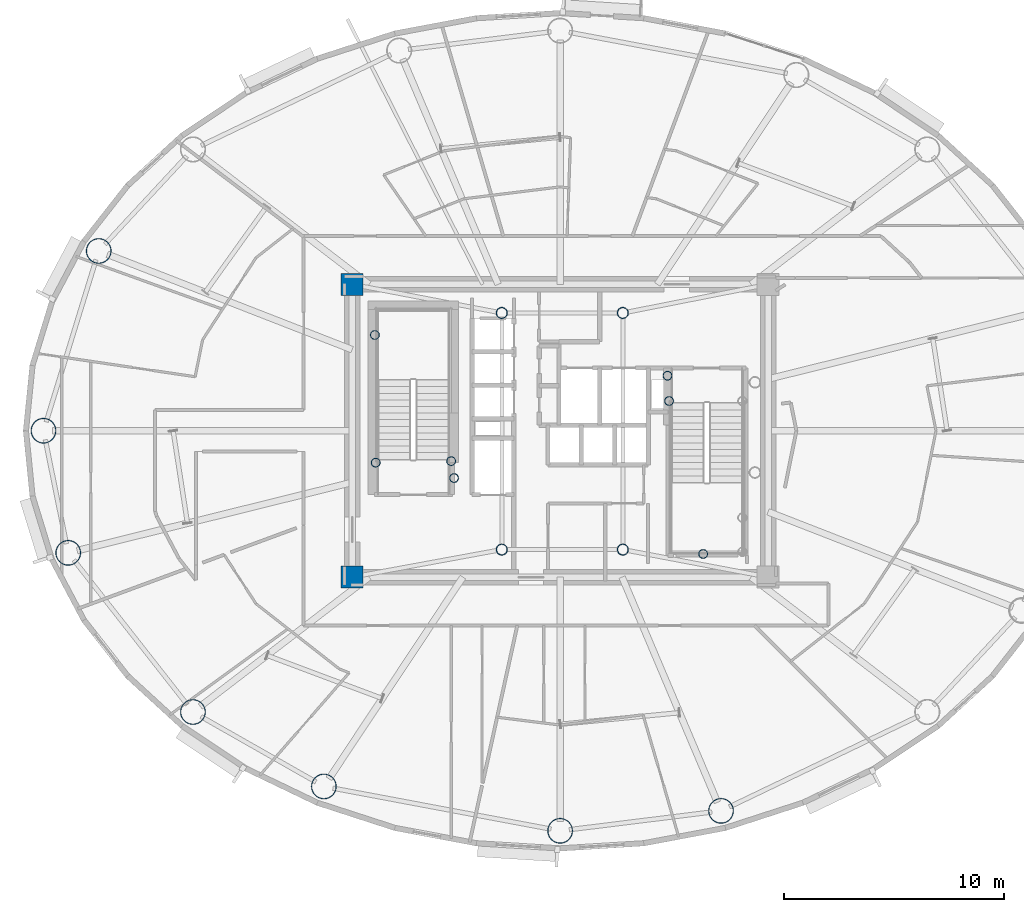
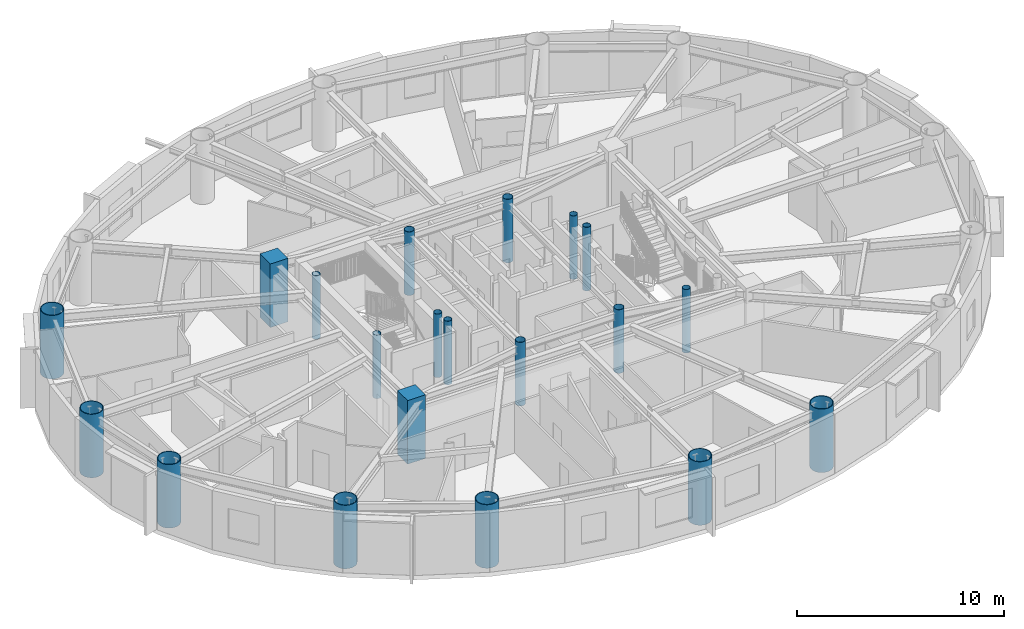
# One storey, part 1 of 22: 20 columns.
"""IFC4 building model written with IfcOpenShell, lengths in metres."""

from ifc_helpers import new_model, si_unit, direction, frame, origin, origin_2d, place, context, subcontext, project, spatial, rectangle, hollow_circle, extrude, material, material_profile, profile_set, type_object, element, save


model = new_model("IFC4")

# Units and contexts
model_context = context("Model", 3, precision=1e-05, world=origin(), true_north=direction((0.0, 1.0)))
body_context = subcontext(model_context, "Body", "Model", "MODEL_VIEW")
ifc_project = project(units=[si_unit("LENGTHUNIT", "METRE"), si_unit("AREAUNIT", "SQUARE_METRE"), si_unit("VOLUMEUNIT", "CUBIC_METRE"), si_unit("PLANEANGLEUNIT", "RADIAN"), si_unit("MASSUNIT", "GRAM", prefix="KILO")], contexts=[model_context])

# Site, building, storey
site_placement = place(None, origin())
site = spatial("IfcSite", under=ifc_project, at=site_placement, CompositionType="ELEMENT")
building_placement = place(site_placement, origin())
building = spatial("IfcBuilding", under=site, at=building_placement, Name="Linh Dai School and Residence Tower", CompositionType="ELEMENT")
storey_placement = place(building_placement, frame((0.0, 0.0, 214.050048828125)))
storey = spatial("IfcBuildingStorey", under=building, at=storey_placement, Name="L52", CompositionType="ELEMENT", Elevation=214.050048828125)

# Columns
ifc_material_1 = material(Name="Concrete B45 (C35/45)", Category="concrete")
ifc_material_profile_1 = material_profile(ifc_material_1, rectangle(XDim=1.0, YDim=1.0, at=origin_2d()), Name="RC 1000x1000")
ifc_profile_set_1 = profile_set([ifc_material_profile_1], Name="Concrete B45 (C35/45)")
column_type_1 = type_object("IfcColumnType", Name="COL-CC3", PredefinedType="COLUMN", material=ifc_profile_set_1)
for number, where, z_axis, x_axis, name in (
    (1, (26.550048828125, 20.35009765625, 0.0), (0.0, 0.0, 1.0), (1.0, 0.0, 0.0), "L52 Core Corner Pier CC1"),
    (2, (26.550048828125, 33.64990234375, 0.0), (0.0, 0.0, 1.0), (1.0, 0.0, 0.0), "L52 Core Corner Pier CC4"),
):
    element("IfcColumn", number, at=place(storey_placement, frame(where, z_axis=z_axis, x_axis=x_axis)), inside=storey, type_object=column_type_1, Name=name, PredefinedType="COLUMN", context=body_context, shape_type="SweptSolid", body=[
        extrude(rectangle(XDim=1.0, YDim=1.0, at=origin_2d()), origin(), (0.0, 0.0, 1.0), 3.75),
    ])
ifc_material_2 = material(Name="Structural Steel S355JR", Category="steel")
ifc_material_profile_2 = material_profile(ifc_material_2, hollow_circle(Radius=0.203125, WallThickness=0.01611328125, at=origin_2d()), Name="CHS 406.4x16")
ifc_profile_set_2 = profile_set([ifc_material_profile_2], Name="Structural Steel S355JR")
column_type_2 = type_object("IfcColumnType", Name="COL-EC", PredefinedType="COLUMN", material=ifc_profile_set_2)
for number, where, z_axis, x_axis, name in (
    (3, (27.580078125, 31.35009765625, 0.0), (0.0, 0.0, 1.0), (1.0, 0.0, 0.0), "L52 Stair Shaft Landing Support Pier ST1NW"),
    (4, (31.050048828125, 25.6201171875, 0.0), (0.0, 0.0, 1.0), (1.0, 0.0, 0.0), "L52 Stair Shaft Landing Support Pier ST1SE"),
    (5, (31.179931640625, 24.85009765625, 0.0), (0.0, 0.0, 1.0), (1.0, 0.0, 0.0), "L52 Stair Shaft Landing Support Pier ST1SM"),
    (6, (27.6201171875, 25.550048828125, 0.0), (0.0, 0.0, 1.0), (1.0, 0.0, 0.0), "L52 Stair Shaft Landing Support Pier ST1SW"),
    (7, (42.5, 21.39990234375, 0.0), (0.0, 0.0, 1.0), (1.0, 0.0, 0.0), "L52 Stair Shaft Landing Support Pier ST2MS"),
    (8, (40.949951171875, 28.35009765625, 0.0), (0.0, 0.0, 1.0), (1.0, 0.0, 0.0), "L52 Stair Shaft Landing Support Pier ST2N1"),
    (9, (40.8798828125, 29.5, 0.0), (0.0, 0.0, 1.0), (1.0, 0.0, 0.0), "L52 Stair Shaft Landing Support Pier ST2N3"),
):
    element("IfcColumn", number, at=place(storey_placement, frame(where, z_axis=z_axis, x_axis=x_axis)), inside=storey, type_object=column_type_2, Name=name, PredefinedType="COLUMN", context=body_context, shape_type="SweptSolid", body=[
        extrude(hollow_circle(Radius=0.203125, WallThickness=0.01611328125, at=origin_2d()), origin(), (0.0, 0.0, 1.0), 3.75),
    ])
ifc_material_profile_3 = material_profile(ifc_material_2, hollow_circle(Radius=0.574951171875, WallThickness=0.035888671875, at=origin_2d()), Name="CHS 1150x36")
ifc_profile_set_3 = profile_set([ifc_material_profile_3], Name="Structural Steel S355JR")
column_type_3 = type_object("IfcColumnType", Name="COL-MC5", PredefinedType="COLUMN", material=ifc_profile_set_3)
for number, where, z_axis, x_axis, name in (
    (10, (15.03466796875, 35.1689453125, 0.0), (0.0, 0.0, 1.0), (1.0, 0.0, 0.0), "L52 Perimeter CFT Mega-Column MC08"),
    (11, (12.52490234375, 27.0, 0.0), (0.0, 0.0, 1.0), (1.0, 0.0, 0.0), "L52 Perimeter CFT Mega-Column MC09"),
    (12, (13.648681640625, 21.45068359375, 0.0), (0.0, 0.0, 1.0), (1.0, 0.0, 0.0), "L52 Perimeter CFT Mega-Column MC10"),
    (13, (19.31689453125, 14.218994140625, 0.0), (0.0, 0.0, 1.0), (1.0, 0.0, 0.0), "L52 Perimeter CFT Mega-Column MC11"),
    (14, (25.265380859375, 10.83642578125, 0.0), (0.0, 0.0, 1.0), (1.0, 0.0, 0.0), "L52 Perimeter CFT Mega-Column MC12"),
    (15, (36.0, 8.820068359375, 0.0), (0.0, 0.0, 1.0), (1.0, 0.0, 0.0), "L52 Perimeter CFT Mega-Column MC13"),
    (16, (43.31201171875, 9.7265625, 0.0), (0.0, 0.0, 1.0), (1.0, 0.0, 0.0), "L52 Perimeter CFT Mega-Column MC14"),
):
    element("IfcColumn", number, at=place(storey_placement, frame(where, z_axis=z_axis, x_axis=x_axis)), inside=storey, type_object=column_type_3, Name=name, PredefinedType="COLUMN", context=body_context, shape_type="SweptSolid", body=[
        extrude(hollow_circle(Radius=0.574951171875, WallThickness=0.035888671875, at=origin_2d()), origin(), (0.0, 0.0, 1.0), 3.75),
    ])
ifc_material_profile_4 = material_profile(ifc_material_2, hollow_circle(Radius=0.25390625, WallThickness=0.02001953125, at=origin_2d()), Name="CHS 508x20")
ifc_profile_set_4 = profile_set([ifc_material_profile_4], Name="Structural Steel S355JR")
column_type_4 = type_object("IfcColumnType", Name="COL-MCP", PredefinedType="COLUMN", material=ifc_profile_set_4)
for number, where, z_axis, x_axis, name in (
    (17, (33.35009765625, 21.60009765625, 0.0), (0.0, 0.0, 1.0), (1.0, 0.0, 0.0), "L52 Core Mast Support Pier MCP1"),
    (18, (38.85009765625, 21.60009765625, 0.0), (0.0, 0.0, 1.0), (1.0, 0.0, 0.0), "L52 Core Mast Support Pier MCP2"),
    (19, (38.85009765625, 32.35009765625, 0.0), (0.0, 0.0, 1.0), (1.0, 0.0, 0.0), "L52 Core Mast Support Pier MCP3"),
    (20, (33.35009765625, 32.35009765625, 0.0), (0.0, 0.0, 1.0), (1.0, 0.0, 0.0), "L52 Core Mast Support Pier MCP4"),
):
    element("IfcColumn", number, at=place(storey_placement, frame(where, z_axis=z_axis, x_axis=x_axis)), inside=storey, type_object=column_type_4, Name=name, PredefinedType="COLUMN", context=body_context, shape_type="SweptSolid", body=[
        extrude(hollow_circle(Radius=0.25390625, WallThickness=0.02001953125, at=origin_2d()), origin(), (0.0, 0.0, 1.0), 3.75),
    ])

save(model, "model.ifc")
